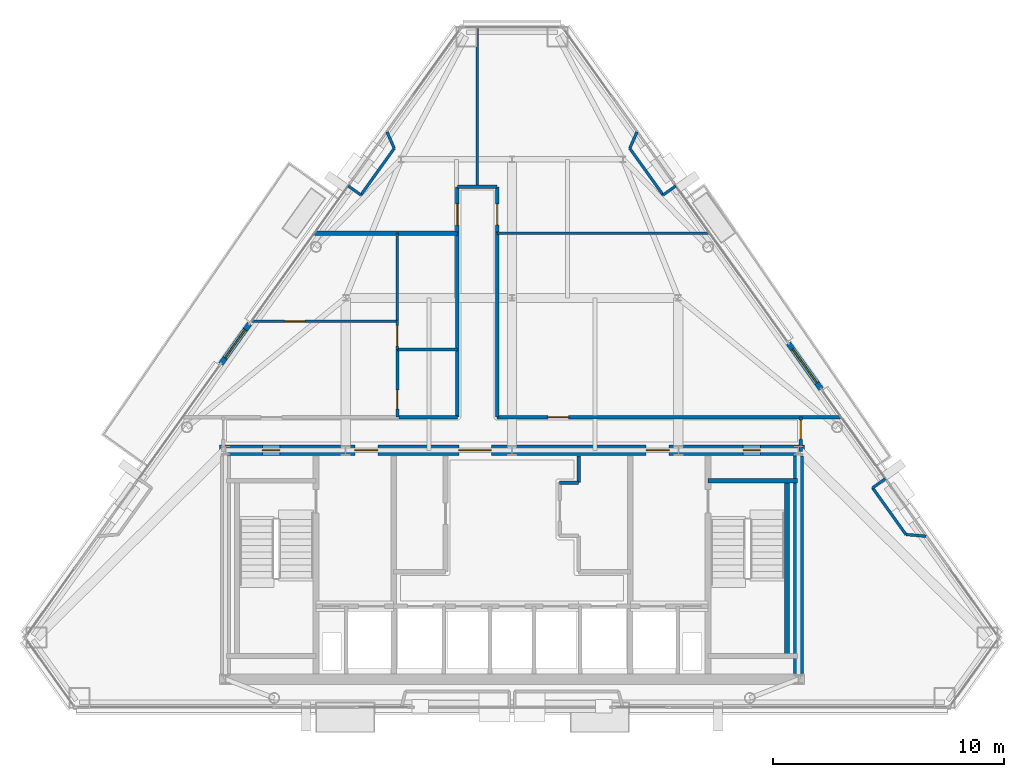
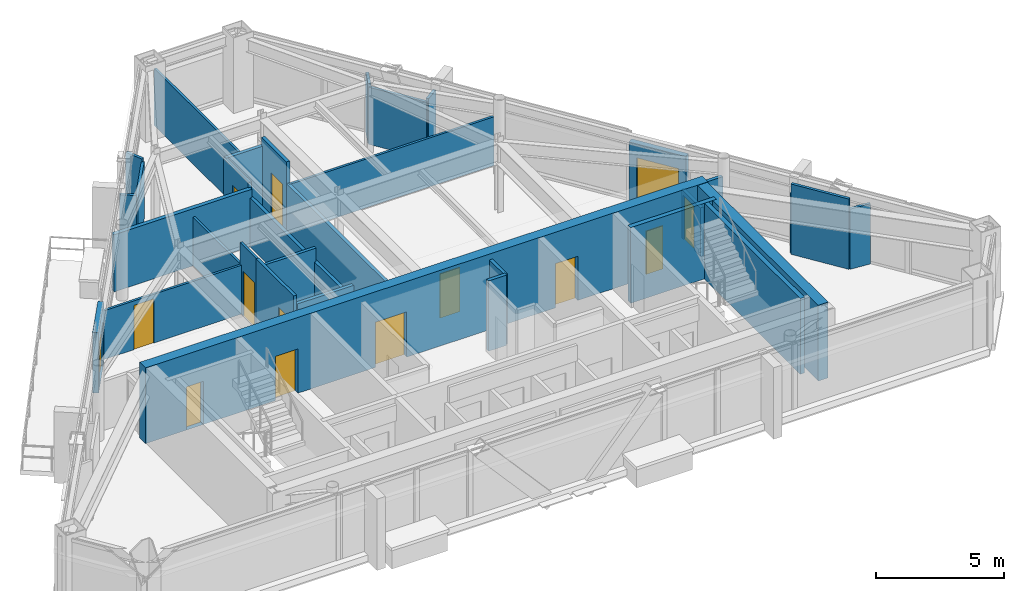
# One storey, part 9 of 12: 33 walls, 14 doors, 14 openings.
"""IFC4 building model written with IfcOpenShell, lengths in metres."""

from ifc_helpers import new_model, si_unit, direction, frame, frame_2d, origin, place, context, subcontext, project, spatial, rectangle, extrude, material, layer, layer_set, type_object, element, fill, save


model = new_model("IFC4")

# Units and contexts
model_context = context("Model", 3, precision=1e-05, world=origin(), true_north=direction((0.0, 1.0)))
body_context = subcontext(model_context, "Body", "Model", "MODEL_VIEW")
ifc_project = project(units=[si_unit("LENGTHUNIT", "METRE"), si_unit("AREAUNIT", "SQUARE_METRE"), si_unit("VOLUMEUNIT", "CUBIC_METRE"), si_unit("PLANEANGLEUNIT", "RADIAN"), si_unit("MASSUNIT", "GRAM", prefix="KILO")], contexts=[model_context])

# Site, building, storey
site_placement = place(None, origin())
site = spatial("IfcSite", under=ifc_project, at=site_placement, CompositionType="ELEMENT")
building_placement = place(site_placement, origin())
building = spatial("IfcBuilding", under=site, at=building_placement, Name="Talgorran Terracotta Tower", CompositionType="ELEMENT")
storey_placement = place(building_placement, frame((0.0, 0.0, 263.39990234375)))
storey = spatial("IfcBuildingStorey", under=building, at=storey_placement, Name="L69", CompositionType="ELEMENT", Elevation=263.39990234375)

# Wall, opening, door
ifc_material_1 = material(Name="Concrete C40/50", Category="concrete")
ifc_layer_1 = layer(ifc_material_1, 0.239990234375, Name="WT_BALCONY_SPAND")
ifc_layer_set_1 = layer_set([ifc_layer_1], Name="Concrete C40/50")
wall_type_1 = type_object("IfcWallType", Name="WT_BALCONY_SPAND", PredefinedType="STANDARD", material=ifc_layer_set_1)
wall_1_placement = place(storey_placement, frame((13.38330078125, -1.546630859375, -0.014892578125), z_axis=(0.0, 0.0, 1.0), x_axis=(-0.58167352525, 0.813422344187, 0.0)))
wall_1 = element("IfcWall", 1, at=wall_1_placement, inside=storey, type_object=wall_type_1, Name="WL-L69-BALP-BAL-NE", PredefinedType="STANDARD", context=body_context, shape_type="SweptSolid", body=[
    extrude(rectangle(XDim=2.43994140625, YDim=0.239990234375, at=frame_2d((1.219970703125, 0.0))), origin(), (0.0, 0.0, 1.0), 2.8779296875),
])
opening_1_placement = place(wall_1_placement, frame((0.320068359375, 0.0, 0.014892578125)))
opening_1 = element("IfcOpeningElement", 2, at=opening_1_placement, cuts=wall_1, Name="Opening D-BAL-L69-1", PredefinedType="OPENING", context=body_context, shape_type="SweptSolid", body=[
    extrude(rectangle(XDim=1.806048828125, YDim=2.203951171875, at=frame_2d((0.89990234375, 1.10205078125))), frame((0.0, 0.1298828125, 0.0), z_axis=(0.0, -1.0, 0.0), x_axis=(1.0, 0.0, 0.0)), (0.0, 0.0, 1.0), 0.260009765625),
])
ifc_material_2 = material(Name="Thermally Broken Aluminium", Category="aluminium")
door_type_1 = type_object("IfcDoorType", Name="DT_BALC_1800", OperationType="SLIDING_TO_LEFT", PredefinedType="DOOR", material=ifc_material_2)
door_1_placement = place(opening_1_placement, origin())
door_1 = element("IfcDoor", 3, at=door_1_placement, inside=storey, type_object=door_type_1, Name="DR-L69-BAL-BAL-NE", OperationType="SLIDING_TO_LEFT", OverallHeight=2.199951171875, OverallWidth=1.800048828125, PredefinedType="DOOR", context=body_context, shape_type="SweptSolid", body=[
    extrude(rectangle(XDim=1.800048828125, YDim=2.199951171875, at=frame_2d((0.89990234375, 1.10009765625))), frame((0.0, 0.02490234375, 0.0), z_axis=(0.0, -1.0, 0.0), x_axis=(1.0, 0.0, 0.0)), (0.0, 0.0, 1.0), 0.050048828125),
])
fill(opening_1, door_1)

wall_2_placement = place(storey_placement, frame((-11.361083984375, 1.281005859375, -0.014892578125), z_axis=(0.0, 0.0, 1.0), x_axis=(-0.581702133873, -0.813401885569, 0.0)))
wall_2 = element("IfcWall", 4, at=wall_2_placement, inside=storey, type_object=wall_type_1, Name="WL-L69-BALP-BAL-NW", PredefinedType="STANDARD", context=body_context, shape_type="SweptSolid", body=[
    extrude(rectangle(XDim=2.14013671875, YDim=0.239990234375, at=frame_2d((1.070068359375, 0.0))), origin(), (0.0, 0.0, 1.0), 2.8779296875),
])
opening_2_placement = place(wall_2_placement, frame((0.320068359375, 0.0, 0.014892578125)))
opening_2 = element("IfcOpeningElement", 5, at=opening_2_placement, cuts=wall_2, Name="Opening D-BAL-L69-2", PredefinedType="OPENING", context=body_context, shape_type="SweptSolid", body=[
    extrude(rectangle(XDim=1.506, YDim=2.203951171875, at=frame_2d((0.75, 1.10205078125))), frame((0.0, 0.1298828125, 0.0), z_axis=(0.0, -1.0, 0.0), x_axis=(1.0, 0.0, 0.0)), (0.0, 0.0, 1.0), 0.260009765625),
])
door_type_2 = type_object("IfcDoorType", Name="DT_BALC_1500", OperationType="SLIDING_TO_RIGHT", PredefinedType="DOOR", material=ifc_material_2)
door_2_placement = place(opening_2_placement, origin())
door_2 = element("IfcDoor", 6, at=door_2_placement, inside=storey, type_object=door_type_2, Name="DR-L69-BAL-BAL-NW", OperationType="SLIDING_TO_RIGHT", OverallHeight=2.199951171875, OverallWidth=1.5, PredefinedType="DOOR", context=body_context, shape_type="SweptSolid", body=[
    extrude(rectangle(XDim=1.5, YDim=2.199951171875, at=frame_2d((0.75, 1.10009765625))), frame((0.0, 0.02490234375, 0.0), z_axis=(0.0, -1.0, 0.0), x_axis=(1.0, 0.0, 0.0)), (0.0, 0.0, 1.0), 0.050048828125),
])
fill(opening_2, door_2)

# Walls
ifc_material_3 = material(Name="Concrete C50/60", Category="concrete")
ifc_layer_2 = layer(ifc_material_3, 0.199951171875, Name="WT_CORE_200")
ifc_layer_set_2 = layer_set([ifc_layer_2], Name="Concrete C50/60")
wall_type_2 = type_object("IfcWallType", Name="WT_CORE_200", PredefinedType="SOLIDWALL", material=ifc_layer_set_2)
wall_3_placement = place(storey_placement, frame((8.47998046875, -5.52001953125, 0.0), z_axis=(0.0, 0.0, 1.0), x_axis=(1.0, 0.0, 0.0)))
element("IfcWall", 7, at=wall_3_placement, inside=storey, type_object=wall_type_2, Name="WL-L69-CW-ST2-N", PredefinedType="SOLIDWALL", context=body_context, shape_type="SweptSolid", body=[
    extrude(rectangle(XDim=3.8701171875, YDim=0.199951171875, at=frame_2d((1.93505859375, 0.0))), origin(), (0.0, 0.0, 1.0), 3.60009765625),
])
wall_4_placement = place(storey_placement, frame((11.89990234375, -13.10009765625, 0.0), z_axis=(0.0, 0.0, 1.0), x_axis=(0.0, 1.0, 0.0)))
element("IfcWall", 8, at=wall_4_placement, inside=storey, type_object=wall_type_2, Name="WL-L69-CW-ST2-E", PredefinedType="SOLIDWALL", context=body_context, shape_type="SweptSolid", body=[
    extrude(rectangle(XDim=7.580078125, YDim=0.199951171875, at=frame_2d((3.7900390625, 0.0))), origin(), (0.0, 0.0, 1.0), 3.60009765625),
])

# Wall, openings, doors
ifc_material_4 = material(Name="Concrete C65/80", Category="concrete")
ifc_layer_3 = layer(ifc_material_4, 0.449951171875, Name="WT_CORE_EXT")
ifc_layer_set_3 = layer_set([ifc_layer_3], Name="Concrete C65/80")
wall_type_3 = type_object("IfcWallType", Name="WT_CORE_EXT", PredefinedType="SHEAR", material=ifc_layer_set_3)
wall_5_placement = place(storey_placement, frame((-12.64990234375, -4.199951171875, 0.0), z_axis=(0.0, 0.0, 1.0), x_axis=(1.0, 0.0, 0.0)))
wall_5 = element("IfcWall", 9, at=wall_5_placement, inside=storey, type_object=wall_type_3, Name="WL-L69-CW-OUT-N", PredefinedType="SHEAR", context=body_context, shape_type="SweptSolid", body=[
    extrude(rectangle(XDim=25.2998046875, YDim=0.449951171875, at=frame_2d((12.64990234375, 0.0))), origin(), (0.0, 0.0, 1.0), 3.60009765625),
])
opening_3_placement = place(wall_5_placement, frame((1.85009765625, 0.0, 0.0)))
opening_3 = element("IfcOpeningElement", 10, at=opening_3_placement, cuts=wall_5, Name="Opening DR-CSN1", PredefinedType="OPENING", context=body_context, shape_type="SweptSolid", body=[
    extrude(rectangle(XDim=0.756, YDim=2.054048828125, at=frame_2d((0.375, 1.027099609375))), frame((0.0, 0.23486328125, 0.0), z_axis=(0.0, -1.0, 0.0), x_axis=(1.0, 0.0, 0.0)), (0.0, 0.0, 1.0), 0.469970703125),
])
opening_4_placement = place(wall_5_placement, frame((22.64990234375, 0.0, 0.0)))
opening_4 = element("IfcOpeningElement", 11, at=opening_4_placement, cuts=wall_5, Name="Opening DR-CSN2", PredefinedType="OPENING", context=body_context, shape_type="SweptSolid", body=[
    extrude(rectangle(XDim=0.756, YDim=2.054048828125, at=frame_2d((0.375, 1.027099609375))), frame((0.0, 0.23486328125, 0.0), z_axis=(0.0, -1.0, 0.0), x_axis=(1.0, 0.0, 0.0)), (0.0, 0.0, 1.0), 0.469970703125),
])
opening_5_placement = place(wall_5_placement, frame((5.85009765625, 0.0, 0.0)))
opening_5 = element("IfcOpeningElement", 12, at=opening_5_placement, cuts=wall_5, Name="Opening DR-FFLW-N", PredefinedType="OPENING", context=body_context, shape_type="SweptSolid", body=[
    extrude(rectangle(XDim=1.006, YDim=2.10409765625, at=frame_2d((0.5, 1.052001953125))), frame((0.0, 0.23486328125, 0.0), z_axis=(0.0, -1.0, 0.0), x_axis=(1.0, 0.0, 0.0)), (0.0, 0.0, 1.0), 0.469970703125),
])
opening_6_placement = place(wall_5_placement, frame((10.35009765625, 0.0, 0.0)))
opening_6 = element("IfcOpeningElement", 13, at=opening_6_placement, cuts=wall_5, Name="Opening DR-PLL-N", PredefinedType="OPENING", context=body_context, shape_type="SweptSolid", body=[
    extrude(rectangle(XDim=1.40590234375, YDim=2.15390234375, at=frame_2d((0.699951171875, 1.076904296875))), frame((0.0, 0.23486328125, 0.0), z_axis=(0.0, -1.0, 0.0), x_axis=(1.0, 0.0, 0.0)), (0.0, 0.0, 1.0), 0.469970703125),
])
opening_7_placement = place(wall_5_placement, frame((18.449951171875, 0.0, 0.0)))
opening_7 = element("IfcOpeningElement", 14, at=opening_7_placement, cuts=wall_5, Name="Opening DR-FFLE-N", PredefinedType="OPENING", context=body_context, shape_type="SweptSolid", body=[
    extrude(rectangle(XDim=1.006, YDim=2.10409765625, at=frame_2d((0.5, 1.052001953125))), frame((0.0, 0.23486328125, 0.0), z_axis=(0.0, -1.0, 0.0), x_axis=(1.0, 0.0, 0.0)), (0.0, 0.0, 1.0), 0.469970703125),
])
ifc_material_5 = material(Name="Acoustic Glazed Timber", Category="wood")
door_type_3 = type_object("IfcDoorType", Name="DT_DOUBLE_1400", OperationType="DOUBLE_DOOR_SINGLE_SWING", PredefinedType="DOOR", material=ifc_material_5)
door_3_placement = place(opening_6_placement, origin())
door_3 = element("IfcDoor", 15, at=door_3_placement, inside=storey, type_object=door_type_3, Name="DR-PLL-N", OperationType="DOUBLE_DOOR_SINGLE_SWING", OverallHeight=2.14990234375, OverallWidth=1.39990234375, PredefinedType="DOOR", context=body_context, shape_type="SweptSolid", body=[
    extrude(rectangle(XDim=1.39990234375, YDim=2.14990234375, at=frame_2d((0.699951171875, 1.074951171875))), frame((0.0, 0.02490234375, 0.0), z_axis=(0.0, -1.0, 0.0), x_axis=(1.0, 0.0, 0.0)), (0.0, 0.0, 1.0), 0.050048828125),
])
fill(opening_6, door_3)
ifc_material_6 = material(Name="Fire-Rated Pressed Steel", Category="steel")
door_type_4 = type_object("IfcDoorType", Name="DT_FIRE_1000", OperationType="NOTDEFINED", PredefinedType="DOOR", material=ifc_material_6)
door_4_placement = place(opening_5_placement, origin())
door_4 = element("IfcDoor", 16, at=door_4_placement, inside=storey, type_object=door_type_4, Name="DR-FFLW-N", OperationType="SINGLE_SWING_LEFT", OverallHeight=2.10009765625, OverallWidth=1.0, PredefinedType="DOOR", context=body_context, shape_type="SweptSolid", body=[
    extrude(rectangle(XDim=1.0, YDim=2.10009765625, at=frame_2d((0.5, 1.050048828125))), frame((0.0, 0.02490234375, 0.0), z_axis=(0.0, -1.0, 0.0), x_axis=(1.0, 0.0, 0.0)), (0.0, 0.0, 1.0), 0.050048828125),
])
fill(opening_5, door_4)
door_5_placement = place(opening_7_placement, origin())
door_5 = element("IfcDoor", 17, at=door_5_placement, inside=storey, type_object=door_type_4, Name="DR-FFLE-N", OperationType="SINGLE_SWING_RIGHT", OverallHeight=2.10009765625, OverallWidth=1.0, PredefinedType="DOOR", context=body_context, shape_type="SweptSolid", body=[
    extrude(rectangle(XDim=1.0, YDim=2.10009765625, at=frame_2d((0.5, 1.050048828125))), frame((0.0, 0.02490234375, 0.0), z_axis=(0.0, -1.0, 0.0), x_axis=(1.0, 0.0, 0.0)), (0.0, 0.0, 1.0), 0.050048828125),
])
fill(opening_7, door_5)
door_type_5 = type_object("IfcDoorType", Name="DT_RISER_750", OperationType="NOTDEFINED", PredefinedType="DOOR", material=ifc_material_6)
door_6_placement = place(opening_3_placement, origin())
door_6 = element("IfcDoor", 18, at=door_6_placement, inside=storey, type_object=door_type_5, Name="DR-CSN1", OperationType="SINGLE_SWING_LEFT", OverallHeight=2.050048828125, OverallWidth=0.75, PredefinedType="DOOR", context=body_context, shape_type="SweptSolid", body=[
    extrude(rectangle(XDim=0.75, YDim=2.050048828125, at=frame_2d((0.375, 1.02490234375))), frame((0.0, 0.02490234375, 0.0), z_axis=(0.0, -1.0, 0.0), x_axis=(1.0, 0.0, 0.0)), (0.0, 0.0, 1.0), 0.050048828125),
])
fill(opening_3, door_6)
door_7_placement = place(opening_4_placement, origin())
door_7 = element("IfcDoor", 19, at=door_7_placement, inside=storey, type_object=door_type_5, Name="DR-CSN2", OperationType="SINGLE_SWING_RIGHT", OverallHeight=2.050048828125, OverallWidth=0.75, PredefinedType="DOOR", context=body_context, shape_type="SweptSolid", body=[
    extrude(rectangle(XDim=0.75, YDim=2.050048828125, at=frame_2d((0.375, 1.02490234375))), frame((0.0, 0.02490234375, 0.0), z_axis=(0.0, -1.0, 0.0), x_axis=(1.0, 0.0, 0.0)), (0.0, 0.0, 1.0), 0.050048828125),
])
fill(opening_4, door_7)

# Walls
wall_6_placement = place(storey_placement, frame((12.39990234375, -13.85009765625, 0.0), z_axis=(0.0, 0.0, 1.0), x_axis=(0.0, 1.0, 0.0)))
element("IfcWall", 20, at=wall_6_placement, inside=storey, type_object=wall_type_3, Name="WL-L69-CW-OUT-E", PredefinedType="SHEAR", context=body_context, shape_type="SweptSolid", body=[
    extrude(rectangle(XDim=9.400146484375, YDim=0.449951171875, at=frame_2d((4.7001953125, 0.0))), origin(), (0.0, 0.0, 1.0), 3.60009765625),
])
ifc_material_7 = material(Name="Fire-Rated Steel Stud Plasterboard", Category="steel")
ifc_layer_4 = layer(ifc_material_7, 0.14990234375, Name="WT_FIRE_150")
ifc_layer_set_4 = layer_set([ifc_layer_4], Name="Fire-Rated Steel Stud Plasterboard")
wall_type_4 = type_object("IfcWallType", Name="WT_FIRE_150", PredefinedType="PARTITIONING", material=ifc_layer_set_4)
wall_7_placement = place(storey_placement, frame((2.06005859375, -5.60009765625, 0.0), z_axis=(0.0, 0.0, 1.0), x_axis=(1.0, 0.0, 0.0)))
element("IfcWall", 21, at=wall_7_placement, inside=storey, type_object=wall_type_4, Name="WL-L69-CW-H-E3D", PredefinedType="PARTITIONING", context=body_context, shape_type="SweptSolid", body=[
    extrude(rectangle(XDim=0.81982421875, YDim=0.14990234375, at=frame_2d((0.409912109375, 0.0))), origin(), (0.0, 0.0, 1.0), 3.34521484375),
])
wall_8_placement = place(storey_placement, frame((2.8798828125, -5.60009765625, 0.0), z_axis=(0.0, 0.0, 1.0), x_axis=(0.0, 1.0, 0.0)))
element("IfcWall", 22, at=wall_8_placement, inside=storey, type_object=wall_type_4, Name="WL-L69-CW-V-E3E", PredefinedType="PARTITIONING", context=body_context, shape_type="SweptSolid", body=[
    extrude(rectangle(XDim=1.150146484375, YDim=0.14990234375, at=frame_2d((0.5751953125, 0.0))), origin(), (0.0, 0.0, 1.0), 3.34521484375),
])

# Wall, opening, door
wall_9_placement = place(storey_placement, frame((-0.639892578125, -2.760009765625, 0.0), z_axis=(0.0, 0.0, 1.0), x_axis=(1.0, 0.0, 0.0)))
wall_9 = element("IfcWall", 23, at=wall_9_placement, inside=storey, type_object=wall_type_4, Name="WL-L69-W-L69-R12", PredefinedType="PARTITIONING", context=body_context, shape_type="SweptSolid", body=[
    extrude(rectangle(XDim=14.89111328125, YDim=0.14990234375, at=frame_2d((7.445556640625, 0.0))), origin(), (0.0, 0.0, 1.0), 2.320068359375),
])
opening_8_placement = place(wall_9_placement, frame((2.193115234375, 0.0, 0.0)))
opening_8 = element("IfcOpeningElement", 24, at=opening_8_placement, cuts=wall_9, Name="Opening DR-L69-R09", PredefinedType="OPENING", context=body_context, shape_type="SweptSolid", body=[
    extrude(rectangle(XDim=0.90590234375, YDim=2.10409765625, at=frame_2d((0.449951171875, 1.052001953125))), frame((0.0, 0.0849609375, 0.0), z_axis=(0.0, -1.0, 0.0), x_axis=(1.0, 0.0, 0.0)), (0.0, 0.0, 1.0), 0.169921875),
])
ifc_material_8 = material(Name="Fire-Rated Timber Core", Category="wood")
door_type_6 = type_object("IfcDoorType", Name="DT_FIRE_900", OperationType="NOTDEFINED", PredefinedType="DOOR", material=ifc_material_8)
door_8_placement = place(opening_8_placement, origin())
door_8 = element("IfcDoor", 25, at=door_8_placement, inside=storey, type_object=door_type_6, Name="DR-L69-R09", OperationType="SINGLE_SWING_LEFT", OverallHeight=2.10009765625, OverallWidth=0.89990234375, PredefinedType="DOOR", context=body_context, shape_type="SweptSolid", body=[
    extrude(rectangle(XDim=0.89990234375, YDim=2.10009765625, at=frame_2d((0.449951171875, 1.050048828125))), frame((0.0, 0.02490234375, 0.0), z_axis=(0.0, -1.0, 0.0), x_axis=(1.0, 0.0, 0.0)), (0.0, 0.0, 1.0), 0.050048828125),
])
fill(opening_8, door_8)

# Walls
for number, where, z_axis, x_axis, name in (
    (26, (-0.639892578125, -2.760009765625, 0.0), (0.0, 0.0, 1.0), (0.0, 1.0, 0.0), "WL-L69-W-L69-R11"),
    (27, (-2.360107421875, -2.760009765625, 0.0), (0.0, 0.0, 1.0), (0.0, 1.0, 0.0), "WL-L69-W-L69-R05"),
):
    element("IfcWall", number, at=place(storey_placement, frame(where, z_axis=z_axis, x_axis=x_axis)), inside=storey, type_object=wall_type_4, Name=name, PredefinedType="PARTITIONING", context=body_context, shape_type="SweptSolid", body=[
        extrude(rectangle(XDim=8.02001953125, YDim=0.14990234375, at=frame_2d((4.010009765625, 0.0))), origin(), (0.0, 0.0, 1.0), 2.320068359375),
    ])
wall_10_placement = place(storey_placement, frame((-4.89794921875, -2.760009765625, 0.0), z_axis=(0.0, 0.0, 1.0), x_axis=(1.0, 0.0, 0.0)))
element("IfcWall", 28, at=wall_10_placement, inside=storey, type_object=wall_type_4, Name="WL-L69-W-L69-R03", PredefinedType="PARTITIONING", context=body_context, shape_type="SweptSolid", body=[
    extrude(rectangle(XDim=2.537841796875, YDim=0.14990234375, at=frame_2d((1.26904296875, 0.0))), origin(), (0.0, 0.0, 1.0), 2.964599609375),
])

# Wall, opening, door
wall_11_placement = place(storey_placement, frame((-2.360107421875, 5.261962890625, 0.0), z_axis=(0.0, 0.0, 1.0), x_axis=(0.0, 1.0, 0.0)))
wall_11 = element("IfcWall", 29, at=wall_11_placement, inside=storey, type_object=wall_type_4, Name="WL-L69-W-L69-R07", PredefinedType="PARTITIONING", context=body_context, shape_type="SweptSolid", body=[
    extrude(rectangle(XDim=1.93798828125, YDim=0.14990234375, at=frame_2d((0.968994140625, 0.0))), origin(), (0.0, 0.0, 1.0), 2.964599609375),
])
opening_9_placement = place(wall_11_placement, frame((0.3046875, 0.0, 0.0)))
opening_9 = element("IfcOpeningElement", 30, at=opening_9_placement, cuts=wall_11, Name="Opening DR-L69-R07", PredefinedType="OPENING", context=body_context, shape_type="SweptSolid", body=[
    extrude(rectangle(XDim=0.90590234375, YDim=2.10409765625, at=frame_2d((0.449951171875, 1.052001953125))), frame((0.0, 0.0849609375, 0.0), z_axis=(0.0, -1.0, 0.0), x_axis=(1.0, 0.0, 0.0)), (0.0, 0.0, 1.0), 0.169921875),
])
door_9_placement = place(opening_9_placement, origin())
door_9 = element("IfcDoor", 31, at=door_9_placement, inside=storey, type_object=door_type_6, Name="DR-L69-R07", OperationType="SINGLE_SWING_LEFT", OverallHeight=2.10009765625, OverallWidth=0.89990234375, PredefinedType="DOOR", context=body_context, shape_type="SweptSolid", body=[
    extrude(rectangle(XDim=0.89990234375, YDim=2.10009765625, at=frame_2d((0.449951171875, 1.050048828125))), frame((0.0, 0.02490234375, 0.0), z_axis=(0.0, -1.0, 0.0), x_axis=(1.0, 0.0, 0.0)), (0.0, 0.0, 1.0), 0.050048828125),
])
fill(opening_9, door_9)

wall_12_placement = place(storey_placement, frame((-0.639892578125, 5.261962890625, 0.0), z_axis=(0.0, 0.0, 1.0), x_axis=(0.0, 1.0, 0.0)))
wall_12 = element("IfcWall", 32, at=wall_12_placement, inside=storey, type_object=wall_type_4, Name="WL-L69-W-L69-R10", PredefinedType="PARTITIONING", context=body_context, shape_type="SweptSolid", body=[
    extrude(rectangle(XDim=1.93798828125, YDim=0.14990234375, at=frame_2d((0.968994140625, 0.0))), origin(), (0.0, 0.0, 1.0), 3.34521484375),
])
opening_10_placement = place(wall_12_placement, frame((0.3046875, 0.0, 0.0)))
opening_10 = element("IfcOpeningElement", 33, at=opening_10_placement, cuts=wall_12, Name="Opening DR-L69-R08", PredefinedType="OPENING", context=body_context, shape_type="SweptSolid", body=[
    extrude(rectangle(XDim=0.90590234375, YDim=2.10409765625, at=frame_2d((0.449951171875, 1.052001953125))), frame((0.0, 0.0849609375, 0.0), z_axis=(0.0, -1.0, 0.0), x_axis=(1.0, 0.0, 0.0)), (0.0, 0.0, 1.0), 0.169921875),
])
door_10_placement = place(opening_10_placement, origin())
door_10 = element("IfcDoor", 34, at=door_10_placement, inside=storey, type_object=door_type_6, Name="DR-L69-R08", OperationType="SINGLE_SWING_RIGHT", OverallHeight=2.10009765625, OverallWidth=0.89990234375, PredefinedType="DOOR", context=body_context, shape_type="SweptSolid", body=[
    extrude(rectangle(XDim=0.89990234375, YDim=2.10009765625, at=frame_2d((0.449951171875, 1.050048828125))), frame((0.0, 0.02490234375, 0.0), z_axis=(0.0, -1.0, 0.0), x_axis=(1.0, 0.0, 0.0)), (0.0, 0.0, 1.0), 0.050048828125),
])
fill(opening_10, door_10)

wall_13_placement = place(storey_placement, frame((12.5, -4.239990234375, 0.0), z_axis=(0.0, 0.0, 1.0), x_axis=(0.0, 1.0, 0.0)))
wall_13 = element("IfcWall", 35, at=wall_13_placement, inside=storey, type_object=wall_type_4, Name="WL-L69-W-L69-R02", PredefinedType="PARTITIONING", context=body_context, shape_type="SweptSolid", body=[
    extrude(rectangle(XDim=1.47998046875, YDim=0.14990234375, at=frame_2d((0.739990234375, 0.0))), origin(), (0.0, 0.0, 1.0), 2.320068359375),
])
opening_11_placement = place(wall_13_placement, frame((0.521728515625, 0.0, 0.0)))
opening_11 = element("IfcOpeningElement", 36, at=opening_11_placement, cuts=wall_13, Name="Opening DR-L69-R02", PredefinedType="OPENING", context=body_context, shape_type="SweptSolid", body=[
    extrude(rectangle(XDim=0.826068359375, YDim=2.10409765625, at=frame_2d((0.41015625, 1.052001953125))), frame((0.0, 0.0849609375, 0.0), z_axis=(0.0, -1.0, 0.0), x_axis=(1.0, 0.0, 0.0)), (0.0, 0.0, 1.0), 0.169921875),
])
ifc_material_9 = material(Name="Moisture-Resistant Solid Timber", Category="wood")
door_type_7 = type_object("IfcDoorType", Name="DT_INT_820", OperationType="NOTDEFINED", PredefinedType="DOOR", material=ifc_material_9)
door_11_placement = place(opening_11_placement, origin())
door_11 = element("IfcDoor", 37, at=door_11_placement, inside=storey, type_object=door_type_7, Name="DR-L69-R02", OperationType="SINGLE_SWING_RIGHT", OverallHeight=2.10009765625, OverallWidth=0.820068359375, PredefinedType="DOOR", context=body_context, shape_type="SweptSolid", body=[
    extrude(rectangle(XDim=0.820068359375, YDim=2.10009765625, at=frame_2d((0.41015625, 1.050048828125))), frame((0.0, 0.02490234375, 0.0), z_axis=(0.0, -1.0, 0.0), x_axis=(1.0, 0.0, 0.0)), (0.0, 0.0, 1.0), 0.050048828125),
])
fill(opening_11, door_11)

# Walls
wall_14_placement = place(storey_placement, frame((-2.360107421875, 7.199951171875, 0.0), z_axis=(0.0, 0.0, 1.0), x_axis=(1.0, 0.0, 0.0)))
element("IfcWall", 38, at=wall_14_placement, inside=storey, type_object=wall_type_4, Name="WL-L69-W-L69-R09", PredefinedType="PARTITIONING", context=body_context, shape_type="SweptSolid", body=[
    extrude(rectangle(XDim=1.72021484375, YDim=0.14990234375, at=frame_2d((0.860107421875, 0.0))), origin(), (0.0, 0.0, 1.0), 2.964599609375),
])
ifc_material_10 = material(Name="Acoustic Stud and Plasterboard")
ifc_layer_5 = layer(ifc_material_10, 0.179931640625, Name="WT_PARTY_200")
ifc_layer_set_5 = layer_set([ifc_layer_5], Name="Acoustic Stud and Plasterboard")
wall_type_5 = type_object("IfcWallType", Name="WT_PARTY_200", PredefinedType="PARTITIONING", material=ifc_layer_set_5)
wall_15_placement = place(storey_placement, frame((-8.55810546875, 5.199951171875, 0.0), z_axis=(0.0, 0.0, 1.0), x_axis=(1.0, 0.0, 0.0)))
element("IfcWall", 39, at=wall_15_placement, inside=storey, type_object=wall_type_5, Name="WL-L69-W-L69-R19", PredefinedType="PARTITIONING", context=body_context, shape_type="SweptSolid", body=[
    extrude(rectangle(XDim=6.197998046875, YDim=0.179931640625, at=frame_2d((3.09912109375, 0.0))), origin(), (0.0, 0.0, 1.0), 2.718017578125),
])
ifc_material_11 = material(Name="Lightweight Steel Stud Partition", Category="steel")
ifc_layer_6 = layer(ifc_material_11, 0.10498046875, Name="WT_PART_110")
ifc_layer_set_6 = layer_set([ifc_layer_6], Name="Lightweight Steel Stud Partition")
wall_type_6 = type_object("IfcWallType", Name="WT_PART_110", PredefinedType="PARTITIONING", material=ifc_layer_set_6)
wall_16_placement = place(storey_placement, frame((-0.639892578125, 5.199951171875, 0.0), z_axis=(0.0, 0.0, 1.0), x_axis=(1.0, 0.0, 0.0)))
element("IfcWall", 40, at=wall_16_placement, inside=storey, type_object=wall_type_6, Name="WL-L69-W-L69-R21", PredefinedType="PARTITIONING", context=body_context, shape_type="SweptSolid", body=[
    extrude(rectangle(XDim=9.197998046875, YDim=0.10498046875, at=frame_2d((4.59912109375, 0.0))), origin(), (0.0, 0.0, 1.0), 2.320068359375),
])
wall_17_placement = place(storey_placement, frame((-1.5, 7.199951171875, 0.0), z_axis=(0.0, 0.0, 1.0), x_axis=(0.0, 1.0, 0.0)))
element("IfcWall", 41, at=wall_17_placement, inside=storey, type_object=wall_type_6, Name="WL-L69-W-L69-R20", PredefinedType="PARTITIONING", context=body_context, shape_type="SweptSolid", body=[
    extrude(rectangle(XDim=6.916748046875, YDim=0.10498046875, at=frame_2d((3.45849609375, 0.0))), origin(), (0.0, 0.0, 1.0), 2.718017578125),
])

# Wall, opening, door
wall_18_placement = place(storey_placement, frame((-11.290283203125, 1.3798828125, 0.0), z_axis=(0.0, 0.0, 1.0), x_axis=(1.0, 0.0, 0.0)))
wall_18 = element("IfcWall", 42, at=wall_18_placement, inside=storey, type_object=wall_type_6, Name="WL-L69-W-L69-R18", PredefinedType="PARTITIONING", context=body_context, shape_type="SweptSolid", body=[
    extrude(rectangle(XDim=6.330322265625, YDim=0.10498046875, at=frame_2d((3.1650390625, 0.0))), origin(), (0.0, 0.0, 1.0), 2.320068359375),
])
opening_12_placement = place(wall_18_placement, frame((1.4501953125, 0.0, 0.0)))
opening_12 = element("IfcOpeningElement", 43, at=opening_12_placement, cuts=wall_18, Name="Opening DR-L69-R06", PredefinedType="OPENING", context=body_context, shape_type="SweptSolid", body=[
    extrude(rectangle(XDim=0.8858828125, YDim=2.10409765625, at=frame_2d((0.43994140625, 1.052001953125))), frame((0.0, 0.0625, 0.0), z_axis=(0.0, -1.0, 0.0), x_axis=(1.0, 0.0, 0.0)), (0.0, 0.0, 1.0), 0.125),
])
ifc_material_12 = material(Name="Solid-Core Painted Timber", Category="wood")
door_type_8 = type_object("IfcDoorType", Name="DT_INT_880", OperationType="NOTDEFINED", PredefinedType="DOOR", material=ifc_material_12)
door_12_placement = place(opening_12_placement, origin())
door_12 = element("IfcDoor", 44, at=door_12_placement, inside=storey, type_object=door_type_8, Name="DR-L69-R06", OperationType="SINGLE_SWING_RIGHT", OverallHeight=2.10009765625, OverallWidth=0.8798828125, PredefinedType="DOOR", context=body_context, shape_type="SweptSolid", body=[
    extrude(rectangle(XDim=0.8798828125, YDim=2.10009765625, at=frame_2d((0.43994140625, 1.050048828125))), frame((0.0, 0.02490234375, 0.0), z_axis=(0.0, -1.0, 0.0), x_axis=(1.0, 0.0, 0.0)), (0.0, 0.0, 1.0), 0.050048828125),
])
fill(opening_12, door_12)

# Wall
wall_19_placement = place(storey_placement, frame((-4.9599609375, 1.320068359375, 0.0), z_axis=(0.0, 0.0, 1.0), x_axis=(0.0, 1.0, 0.0)))
element("IfcWall", 45, at=wall_19_placement, inside=storey, type_object=wall_type_6, Name="WL-L69-W-L69-R16", PredefinedType="PARTITIONING", context=body_context, shape_type="SweptSolid", body=[
    extrude(rectangle(XDim=3.8798828125, YDim=0.10498046875, at=frame_2d((1.93994140625, 0.0))), origin(), (0.0, 0.0, 1.0), 2.320068359375),
])

# Wall, opening, door
wall_20_placement = place(storey_placement, frame((-4.9599609375, 0.159912109375, 0.0), z_axis=(0.0, 0.0, 1.0), x_axis=(0.0, 1.0, 0.0)))
wall_20 = element("IfcWall", 46, at=wall_20_placement, inside=storey, type_object=wall_type_6, Name="WL-L69-W-L69-R15", PredefinedType="PARTITIONING", context=body_context, shape_type="SweptSolid", body=[
    extrude(rectangle(XDim=1.280029296875, YDim=0.10498046875, at=frame_2d((0.64013671875, 0.0))), origin(), (0.0, 0.0, 1.0), 3.34521484375),
])
opening_13_placement = place(wall_20_placement, frame((0.152099609375, 0.0, 0.0)))
opening_13 = element("IfcOpeningElement", 47, at=opening_13_placement, cuts=wall_20, Name="Opening DR-L69-R04", PredefinedType="OPENING", context=body_context, shape_type="SweptSolid", body=[
    extrude(rectangle(XDim=0.8858828125, YDim=2.10409765625, at=frame_2d((0.43994140625, 1.052001953125))), frame((0.0, 0.0625, 0.0), z_axis=(0.0, -1.0, 0.0), x_axis=(1.0, 0.0, 0.0)), (0.0, 0.0, 1.0), 0.125),
])
door_13_placement = place(opening_13_placement, origin())
door_13 = element("IfcDoor", 48, at=door_13_placement, inside=storey, type_object=door_type_8, Name="DR-L69-R04", OperationType="SINGLE_SWING_RIGHT", OverallHeight=2.10009765625, OverallWidth=0.8798828125, PredefinedType="DOOR", context=body_context, shape_type="SweptSolid", body=[
    extrude(rectangle(XDim=0.8798828125, YDim=2.10009765625, at=frame_2d((0.43994140625, 1.050048828125))), frame((0.0, 0.02490234375, 0.0), z_axis=(0.0, -1.0, 0.0), x_axis=(1.0, 0.0, 0.0)), (0.0, 0.0, 1.0), 0.050048828125),
])
fill(opening_13, door_13)

# Walls
ifc_material_13 = material(Name="Insulated Steel Stud Plasterboard", Category="steel")
ifc_layer_7 = layer(ifc_material_13, 0.1201171875, Name="WT_PART_120")
ifc_layer_set_7 = layer_set([ifc_layer_7], Name="Insulated Steel Stud Plasterboard")
wall_type_7 = type_object("IfcWallType", Name="WT_PART_120", PredefinedType="PARTITIONING", material=ifc_layer_set_7)
for number, where, z_axis, x_axis, name in (
    (49, (-5.097412109375, 8.869873046875, 0.0), (0.0, 0.0, 1.0), (-0.581685079242, -0.813414081872, 0.0), "WL-L69-BW-L69-14"),
    (50, (6.5400390625, 6.8525390625, 0.0), (0.0, 0.0, 1.0), (-0.581685079242, 0.813414081872, 0.0), "WL-L69-BW-L69-17"),
):
    element("IfcWall", number, at=place(storey_placement, frame(where, z_axis=z_axis, x_axis=x_axis)), inside=storey, type_object=wall_type_7, Name=name, PredefinedType="PARTITIONING", context=body_context, shape_type="SweptSolid", body=[
        extrude(rectangle(XDim=2.47998046875, YDim=0.1201171875, at=frame_2d((1.239990234375, 0.0))), origin(), (0.0, 0.0, 1.0), 2.718017578125),
    ])
wall_21_placement = place(storey_placement, frame((17.049072265625, -7.84130859375, 0.0), z_axis=(0.0, 0.0, 1.0), x_axis=(-0.581685079242, 0.813414081872, 0.0)))
element("IfcWall", 51, at=wall_21_placement, inside=storey, type_object=wall_type_7, Name="WL-L69-BW-L69-12", PredefinedType="PARTITIONING", context=body_context, shape_type="SweptSolid", body=[
    extrude(rectangle(XDim=2.47998046875, YDim=0.1201171875, at=frame_2d((1.239990234375, 0.0))), origin(), (0.0, 0.0, 1.0), 3.34521484375),
])
wall_22_placement = place(storey_placement, frame((17.927001953125, -7.9169921875, 0.0), z_axis=(0.0, 0.0, 1.0), x_axis=(-0.996304768975, 0.085888342153, 0.0)))
element("IfcWall", 52, at=wall_22_placement, inside=storey, type_object=wall_type_7, Name="WL-L69-BW-L69-11", PredefinedType="PARTITIONING", context=body_context, shape_type="SweptSolid", body=[
    extrude(rectangle(XDim=0.881103515625, YDim=0.1201171875, at=frame_2d((0.4404296875, 0.0))), origin(), (0.0, 0.0, 1.0), 2.863037109375),
])
for number, where, z_axis, x_axis, name in (
    (53, (-5.4111328125, 9.5830078125, 0.0), (0.0, 0.0, 1.0), (0.402675604016, -0.915342754344, 0.0), "WL-L69-BW-L69-13"),
    (54, (5.097412109375, 8.869873046875, 0.0), (0.0, 0.0, 1.0), (0.402675604016, 0.915342754344, 0.0), "WL-L69-BW-L69-18"),
):
    element("IfcWall", number, at=place(storey_placement, frame(where, z_axis=z_axis, x_axis=x_axis)), inside=storey, type_object=wall_type_7, Name=name, PredefinedType="PARTITIONING", context=body_context, shape_type="SweptSolid", body=[
        extrude(rectangle(XDim=0.779052734375, YDim=0.1201171875, at=frame_2d((0.3896484375, 0.0))), origin(), (0.0, 0.0, 1.0), 2.863037109375),
    ])
for number, where, z_axis, x_axis, name in (
    (55, (-6.5400390625, 6.8525390625, 0.0), (0.0, 0.0, 1.0), (-0.813388759568, 0.581720487698, 0.0), "WL-L69-BW-L69-15"),
    (56, (7.085205078125, 7.242431640625, 0.0), (0.0, 0.0, 1.0), (-0.813388759568, -0.581720487698, 0.0), "WL-L69-BW-L69-16"),
):
    element("IfcWall", number, at=place(storey_placement, frame(where, z_axis=z_axis, x_axis=x_axis)), inside=storey, type_object=wall_type_7, Name=name, PredefinedType="PARTITIONING", context=body_context, shape_type="SweptSolid", body=[
        extrude(rectangle(XDim=0.670166015625, YDim=0.1201171875, at=frame_2d((0.3349609375, 0.0))), origin(), (0.0, 0.0, 1.0), 2.863037109375),
    ])
wall_23_placement = place(storey_placement, frame((15.6064453125, -5.823974609375, 0.0), z_axis=(0.0, 0.0, 1.0), x_axis=(0.813265440227, 0.581892879947, 0.0)))
element("IfcWall", 57, at=wall_23_placement, inside=storey, type_object=wall_type_7, Name="WL-L69-BW-L69-10", PredefinedType="PARTITIONING", context=body_context, shape_type="SweptSolid", body=[
    extrude(rectangle(XDim=0.669921875, YDim=0.1201171875, at=frame_2d((0.3349609375, 0.0))), origin(), (0.0, 0.0, 1.0), 2.863037109375),
])

# Wall, opening, door
ifc_material_14 = material(Name="Moisture-Resistant Stud Wall")
ifc_layer_8 = layer(ifc_material_14, 0.135009765625, Name="WT_PART_135")
ifc_layer_set_8 = layer_set([ifc_layer_8], Name="Moisture-Resistant Stud Wall")
wall_type_8 = type_object("IfcWallType", Name="WT_PART_135", PredefinedType="PARTITIONING", material=ifc_layer_set_8)
wall_24_placement = place(storey_placement, frame((-4.9599609375, -2.760009765625, 0.0), z_axis=(0.0, 0.0, 1.0), x_axis=(0.0, 1.0, 0.0)))
wall_24 = element("IfcWall", 58, at=wall_24_placement, inside=storey, type_object=wall_type_8, Name="WL-L69-W-L69-R14", PredefinedType="PARTITIONING", context=body_context, shape_type="SweptSolid", body=[
    extrude(rectangle(XDim=2.919921875, YDim=0.135009765625, at=frame_2d((1.4599609375, 0.0))), origin(), (0.0, 0.0, 1.0), 3.34521484375),
])
opening_14_placement = place(wall_24_placement, frame((0.357421875, 0.0, 0.0)))
opening_14 = element("IfcOpeningElement", 59, at=opening_14_placement, cuts=wall_24, Name="Opening DR-L69-R03", PredefinedType="OPENING", context=body_context, shape_type="SweptSolid", body=[
    extrude(rectangle(XDim=0.826068359375, YDim=2.10409765625, at=frame_2d((0.41015625, 1.052001953125))), frame((0.0, 0.07763671875, 0.0), z_axis=(0.0, -1.0, 0.0), x_axis=(1.0, 0.0, 0.0)), (0.0, 0.0, 1.0), 0.155029296875),
])
door_14_placement = place(opening_14_placement, origin())
door_14 = element("IfcDoor", 60, at=door_14_placement, inside=storey, type_object=door_type_7, Name="DR-L69-R03", OperationType="SINGLE_SWING_LEFT", OverallHeight=2.10009765625, OverallWidth=0.820068359375, PredefinedType="DOOR", context=body_context, shape_type="SweptSolid", body=[
    extrude(rectangle(XDim=0.820068359375, YDim=2.10009765625, at=frame_2d((0.41015625, 1.050048828125))), frame((0.0, 0.02490234375, 0.0), z_axis=(0.0, -1.0, 0.0), x_axis=(1.0, 0.0, 0.0)), (0.0, 0.0, 1.0), 0.050048828125),
])
fill(opening_14, door_14)

# Wall
wall_25_placement = place(storey_placement, frame((-4.9599609375, 0.159912109375, 0.0), z_axis=(0.0, 0.0, 1.0), x_axis=(1.0, 0.0, 0.0)))
element("IfcWall", 61, at=wall_25_placement, inside=storey, type_object=wall_type_8, Name="WL-L69-W-L69-R13", PredefinedType="PARTITIONING", context=body_context, shape_type="SweptSolid", body=[
    extrude(rectangle(XDim=2.599853515625, YDim=0.135009765625, at=frame_2d((1.2998046875, 0.0))), origin(), (0.0, 0.0, 1.0), 2.964599609375),
])

save(model, "model.ifc")
